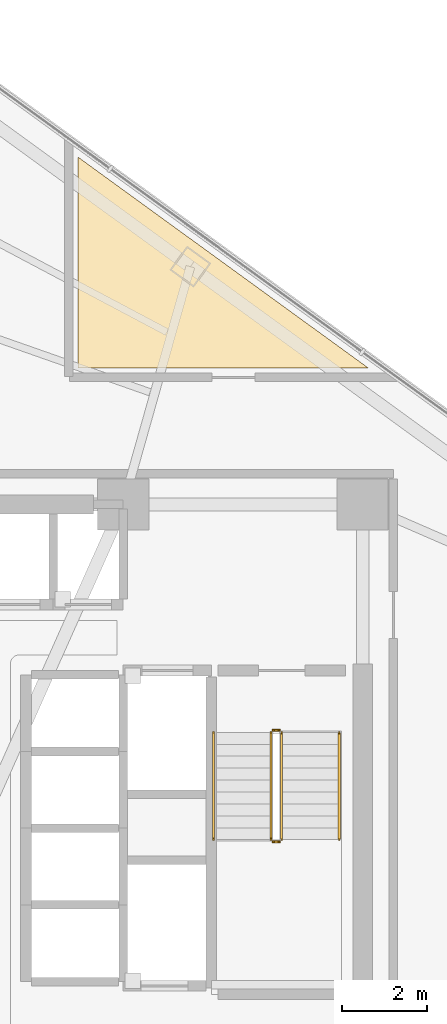
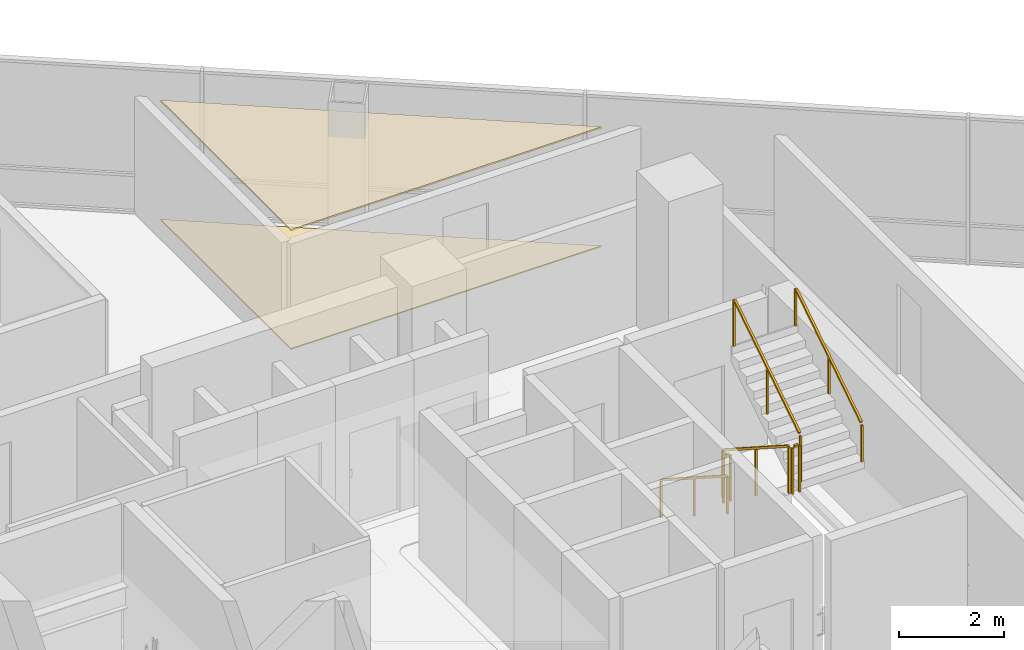
# One storey, part 16 of 17: 6 railings, 2 coverings.
"""IFC4 building model written with IfcOpenShell, lengths in metres."""

from ifc_helpers import new_model, si_unit, direction, frame, origin, origin_2d, place, context, subcontext, project, spatial, polyline, rectangle, outline, extrude, material, layer, layer_set, type_object, element, save


model = new_model("IFC4")

# Units and contexts
model_context = context("Model", 3, precision=1e-05, world=origin(), true_north=direction((0.0, 1.0)))
body_context = subcontext(model_context, "Body", "Model", "MODEL_VIEW")
ifc_project = project(units=[si_unit("LENGTHUNIT", "METRE"), si_unit("AREAUNIT", "SQUARE_METRE"), si_unit("VOLUMEUNIT", "CUBIC_METRE"), si_unit("PLANEANGLEUNIT", "RADIAN"), si_unit("MASSUNIT", "GRAM", prefix="KILO")], contexts=[model_context])

# Site, building, storey
site_placement = place(None, origin())
site = spatial("IfcSite", under=ifc_project, at=site_placement, CompositionType="ELEMENT")
building_placement = place(site_placement, origin())
building = spatial("IfcBuilding", under=site, at=building_placement, Name="Tharavind Bronze Gate", CompositionType="ELEMENT")
storey_placement = place(building_placement, frame((0.0, 0.0, 119.64990234375)))
storey = spatial("IfcBuildingStorey", under=building, at=storey_placement, Name="L30", CompositionType="ELEMENT", Elevation=119.64990234375)

# Coverings
ifc_material_1 = material(Name="Engineered Oak & Carpet Tile", Category="wood")
ifc_layer_1 = layer(ifc_material_1, 0.02490234375)
ifc_layer_set_1 = layer_set([ifc_layer_1], Name="Engineered Oak & Carpet Tile")
covering_type_1 = type_object("IfcCoveringType", Name="ENGINEERED TIMBER FLOORING", PredefinedType="FLOORING", material=ifc_layer_set_1)
covering_1_placement = place(storey_placement, origin())
element("IfcCovering", 1, at=covering_1_placement, inside=storey, type_object=covering_type_1, Name="L30-RM-01 floor finish", PredefinedType="FLOORING", context=body_context, shape_type="SweptSolid", body=[
    extrude(outline(polyline([(2.219970703125, 10.800048828125), (9.03271484375, 10.800048828125), (2.219970703125, 15.749755859375), (2.219970703125, 10.800048828125)])), origin(), (0.0, 0.0, 1.0), 0.025146484375),
])
ifc_material_2 = material(Name="Acoustic Gypsum Board", Category="gypsum")
ifc_layer_2 = layer(ifc_material_2, 0.030029296875)
ifc_layer_set_2 = layer_set([ifc_layer_2], Name="Acoustic Gypsum Board")
covering_type_2 = type_object("IfcCoveringType", Name="GYPSUM SUSPENDED CEILING", PredefinedType="CEILING", material=ifc_layer_set_2)
covering_2_placement = place(storey_placement, frame((0.0, 0.0, 2.75)))
element("IfcCovering", 2, at=covering_2_placement, inside=storey, type_object=covering_type_2, Name="L30-RM-01 suspended ceiling", PredefinedType="CEILING", context=body_context, shape_type="SweptSolid", body=[
    extrude(outline(polyline([(2.219970703125, 10.800048828125), (9.03271484375, 10.800048828125), (2.219970703125, 15.749755859375), (2.219970703125, 10.800048828125)])), origin(), (0.0, 0.0, 1.0), 0.03515625),
])

# Railings
ifc_material_3 = material(Name="Brushed Bronze Alloy", Category="metal")
railing_type_1 = type_object("IfcRailingType", Name="STAIR BRONZE HANDRAIL 900", PredefinedType="HANDRAIL", material=ifc_material_3)
railing_1_placement = place(storey_placement, frame((5.39990234375, 2.25, 0.18017578125)))
element("IfcRailing", 3, at=railing_1_placement, inside=storey, type_object=railing_type_1, Name="L30 ST2 stair handrail 1", PredefinedType="HANDRAIL", context=body_context, shape_type="SweptSolid", body=[
    extrude(rectangle(XDim=0.048095703125, YDim=0.048095703125, at=origin_2d()), frame((0.0, -0.02685546875, 0.89306640625), z_axis=(0.0, -0.841199657755, 0.540724639528), x_axis=(1.0, 0.0, 0.0)), (0.0, 0.0, 1.0), 2.931640625),
    extrude(rectangle(XDim=0.0400390625, YDim=0.0400390625, at=origin_2d()), origin(), (0.0, 0.0, 1.0), 0.847900390625),
    extrude(rectangle(XDim=0.0400390625, YDim=0.0400390625, at=origin_2d()), frame((0.0, -1.260009765625, 0.81005859375)), (0.0, 0.0, 1.0), 0.847900390625),
    extrude(rectangle(XDim=0.0400390625, YDim=0.0400390625, at=origin_2d()), frame((0.0, -2.52001953125, 1.619873046875)), (0.0, 0.0, 1.0), 0.847900390625),
])
railing_2_placement = place(storey_placement, frame((8.35009765625, -0.27001953125, 1.97998046875)))
element("IfcRailing", 4, at=railing_2_placement, inside=storey, type_object=railing_type_1, Name="L30 ST2 stair handrail 2", PredefinedType="HANDRAIL", context=body_context, shape_type="SweptSolid", body=[
    extrude(rectangle(XDim=0.048095703125, YDim=0.048095703125, at=origin_2d()), frame((0.0, 0.02685546875, 0.89306640625), z_axis=(0.0, 0.841162588446, 0.540782303519), x_axis=(-1.0, 0.0, 0.0)), (0.0, 0.0, 1.0), 2.931884765625),
    extrude(rectangle(XDim=0.0400390625, YDim=0.0400390625, at=origin_2d()), origin(), (0.0, 0.0, 1.0), 0.847900390625),
    extrude(rectangle(XDim=0.0400390625, YDim=0.0400390625, at=origin_2d()), frame((0.0, 1.260009765625, 0.81005859375)), (0.0, 0.0, 1.0), 0.847900390625),
    extrude(rectangle(XDim=0.0400390625, YDim=0.0400390625, at=origin_2d()), frame((0.0, 2.52001953125, 1.6201171875)), (0.0, 0.0, 1.0), 0.847900390625),
])
railing_type_2 = type_object("IfcRailingType", Name="STAIR WELL GUARD RAILING 1120", PredefinedType="GUARDRAIL", material=ifc_material_3)
railing_3_placement = place(storey_placement, frame((6.75, 2.25, 0.18017578125)))
element("IfcRailing", 5, at=railing_3_placement, inside=storey, type_object=railing_type_2, Name="L30 ST2 stair guard 1", PredefinedType="GUARDRAIL", context=body_context, shape_type="SweptSolid", body=[
    extrude(rectangle(XDim=0.048095703125, YDim=0.048095703125, at=origin_2d()), frame((0.0, -0.02685546875, 1.11328125), z_axis=(0.0, -0.841199657755, 0.540724639528), x_axis=(1.0, 0.0, 0.0)), (0.0, 0.0, 1.0), 2.931640625),
    extrude(rectangle(XDim=0.0400390625, YDim=0.0400390625, at=origin_2d()), origin(), (0.0, 0.0, 1.0), 1.068115234375),
    extrude(rectangle(XDim=0.0400390625, YDim=0.0400390625, at=origin_2d()), frame((0.0, -1.260009765625, 0.81005859375)), (0.0, 0.0, 1.0), 1.068115234375),
    extrude(rectangle(XDim=0.0400390625, YDim=0.0400390625, at=origin_2d()), frame((0.0, -2.52001953125, 1.619873046875)), (0.0, 0.0, 1.0), 1.068115234375),
])
railing_4_placement = place(storey_placement, frame((6.800048828125, -0.320068359375, 1.800048828125)))
element("IfcRailing", 6, at=railing_4_placement, inside=storey, type_object=railing_type_2, Name="L30 ST2 stair guard 2", PredefinedType="GUARDRAIL", context=body_context, shape_type="SweptSolid", body=[
    extrude(rectangle(XDim=0.048095703125, YDim=0.048095703125, at=origin_2d()), frame((0.031982421875, 0.0, 1.09619140625), z_axis=(1.0, 0.0, 0.0), x_axis=(0.0, 1.0, 0.0)), (0.0, 0.0, 1.0), 0.0859375),
    extrude(rectangle(XDim=0.0400390625, YDim=0.0400390625, at=origin_2d()), origin(), (0.0, 0.0, 1.0), 1.068115234375),
    extrude(rectangle(XDim=0.0400390625, YDim=0.0400390625, at=origin_2d()), frame((0.14990234375, 0.0, 0.0)), (0.0, 0.0, 1.0), 1.068115234375),
])
railing_5_placement = place(storey_placement, frame((7.0, -0.27001953125, 1.97998046875)))
element("IfcRailing", 7, at=railing_5_placement, inside=storey, type_object=railing_type_2, Name="L30 ST2 stair guard 3", PredefinedType="GUARDRAIL", context=body_context, shape_type="SweptSolid", body=[
    extrude(rectangle(XDim=0.048095703125, YDim=0.048095703125, at=origin_2d()), frame((0.0, 0.02685546875, 1.11328125), z_axis=(0.0, 0.841162588446, 0.540782303519), x_axis=(-1.0, 0.0, 0.0)), (0.0, 0.0, 1.0), 2.931884765625),
    extrude(rectangle(XDim=0.0400390625, YDim=0.0400390625, at=origin_2d()), origin(), (0.0, 0.0, 1.0), 1.068115234375),
    extrude(rectangle(XDim=0.0400390625, YDim=0.0400390625, at=origin_2d()), frame((0.0, 1.260009765625, 0.81005859375)), (0.0, 0.0, 1.0), 1.068115234375),
    extrude(rectangle(XDim=0.0400390625, YDim=0.0400390625, at=origin_2d()), frame((0.0, 2.52001953125, 1.6201171875)), (0.0, 0.0, 1.0), 1.068115234375),
])
railing_6_placement = place(storey_placement, frame((6.800048828125, 2.300048828125, 0.0)))
element("IfcRailing", 8, at=railing_6_placement, inside=storey, type_object=railing_type_2, Name="L30 ST2 stair guard 4", PredefinedType="GUARDRAIL", context=body_context, shape_type="SweptSolid", body=[
    extrude(rectangle(XDim=0.048095703125, YDim=0.048095703125, at=origin_2d()), frame((0.031982421875, 0.0, 1.09619140625), z_axis=(1.0, 0.0, 0.0), x_axis=(0.0, 1.0, 0.0)), (0.0, 0.0, 1.0), 0.0859375),
    extrude(rectangle(XDim=0.0400390625, YDim=0.0400390625, at=origin_2d()), origin(), (0.0, 0.0, 1.0), 1.068115234375),
    extrude(rectangle(XDim=0.0400390625, YDim=0.0400390625, at=origin_2d()), frame((0.14990234375, 0.0, 0.0)), (0.0, 0.0, 1.0), 1.068115234375),
])

save(model, "model.ifc")
